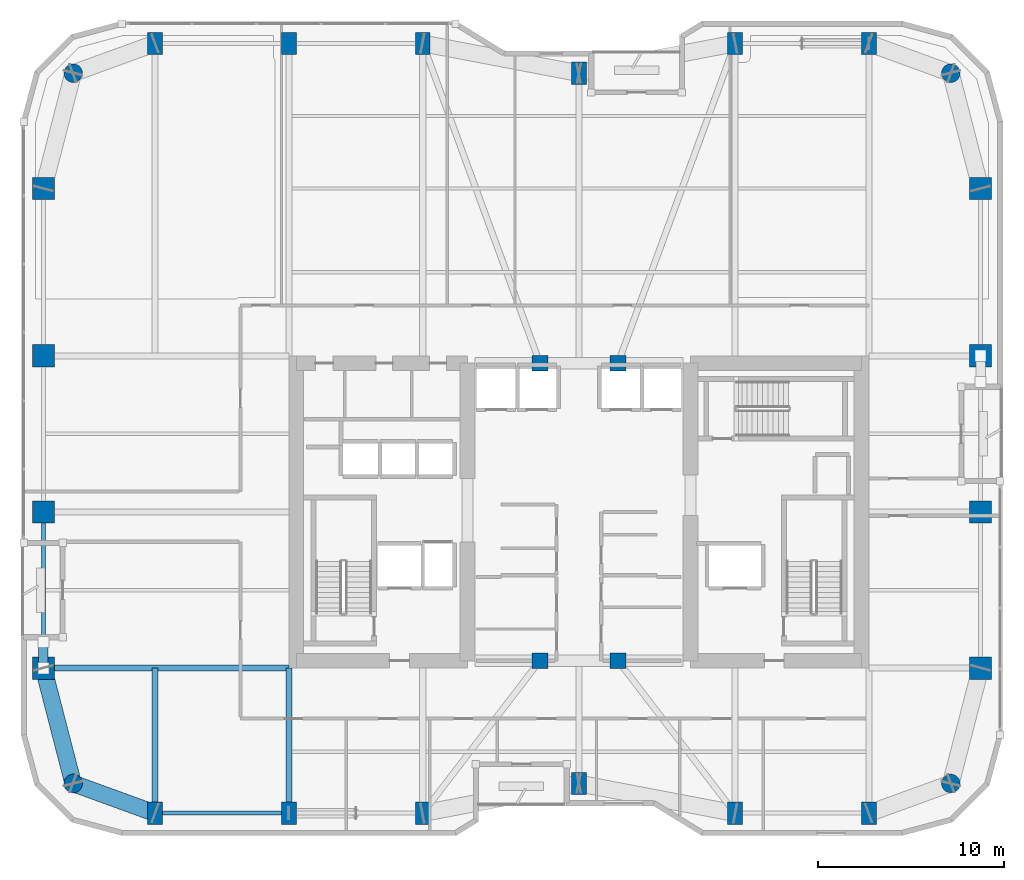
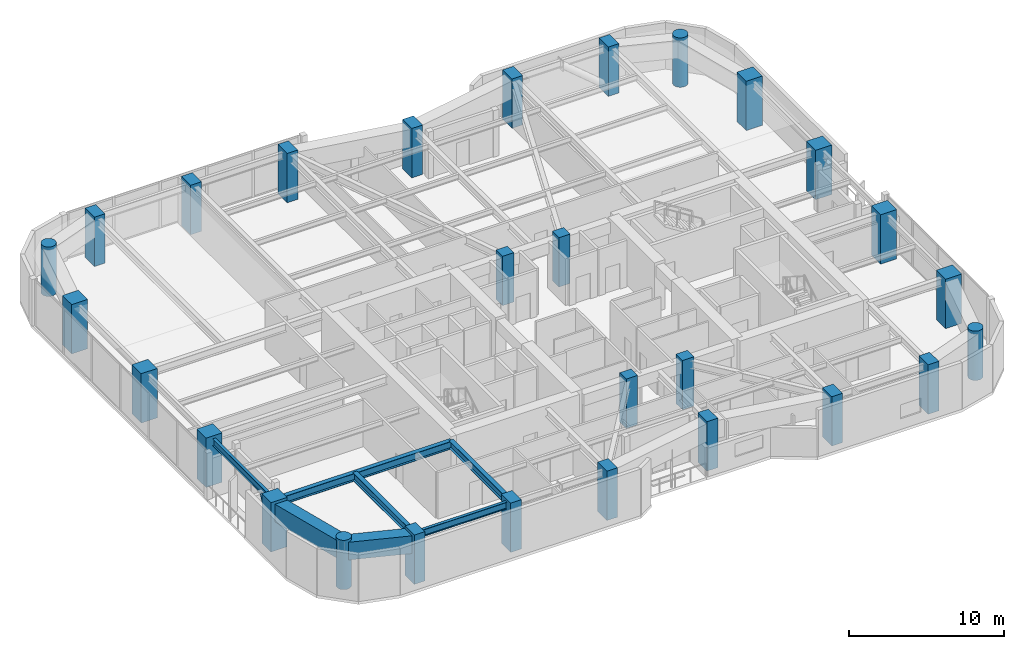
# One storey, part 1 of 30: 28 columns, 7 beams, 1 member.
"""IFC4 building model written with IfcOpenShell, lengths in metres."""

import ifcopenshell
import ifcopenshell.guid

model = None  # the IFC model being written
_history = None  # IfcOwnerHistory: only IFC2X3 demands one
_inside = {}  # id of a spatial element -> (the spatial element, [elements in it])
_under = {}  # id of a project, library or spatial element -> (it, [spatial elements below it])
_declared = {}  # id of a project -> (the project, [libraries it declares])
_typed = {}  # id of a type object -> (the type object, [elements of that type])
_made_of = {}  # id of a material, layer set ... -> (it, [elements and type objects made of it])


def new_model(schema):
    """Start an empty IFC model of exactly this schema.

    Asked for "IFC4X3", IfcOpenShell would pick the latest addendum, in which some entities
    have other attributes; the version numbers below select the first issue.
    IFC2X3 requires an IfcOwnerHistory on every rooted entity: one is made here for all.
    """
    global model, _history
    if schema == "IFC4X3":
        model = ifcopenshell.file(schema_version=(4, 3, 0, 0))
    else:
        model = ifcopenshell.file(schema=schema)
    _inside.clear()
    _under.clear()
    _declared.clear()
    _typed.clear()
    _made_of.clear()
    _history = None
    if model.schema == "IFC2X3":
        org = make("IfcOrganization", Name="unknown")
        user = make(
            "IfcPersonAndOrganization",
            ThePerson=make("IfcPerson", FamilyName="unknown"),
            TheOrganization=org,
        )
        app = make(
            "IfcApplication",
            ApplicationDeveloper=org,
            Version="unknown",
            ApplicationFullName="unknown",
            ApplicationIdentifier="unknown",
        )
        _history = make(
            "IfcOwnerHistory",
            OwningUser=user,
            OwningApplication=app,
            ChangeAction="ADDED",
            CreationDate=0,
        )
    return model


def make(cls, **values):
    """One entity of the class cls with the attributes given. An attribute that is None is left unset."""
    return model.create_entity(
        cls, **{name: value for name, value in values.items() if value is not None}
    )


def rooted(cls, **values):
    """An entity with a GlobalId (a new one), such as an element, a storey or a relation."""
    return make(cls, GlobalId=ifcopenshell.guid.new(), OwnerHistory=_history, **values)


def si_unit(unit_type, name, prefix=None):
    """IfcSIUnit, for example si_unit("LENGTHUNIT", "METRE", prefix="MILLI")."""
    return make("IfcSIUnit", UnitType=unit_type, Prefix=prefix, Name=name)


def assignment(units):
    """IfcUnitAssignment: the units of a project."""
    return None if units is None else make("IfcUnitAssignment", Units=units)


def point(xyz):
    """IfcCartesianPoint."""
    return None if xyz is None else make("IfcCartesianPoint", Coordinates=xyz)


def direction(xyz):
    """IfcDirection."""
    return None if xyz is None else make("IfcDirection", DirectionRatios=xyz)


def frame(location, z_axis=None, x_axis=None):
    """IfcAxis2Placement3D, a coordinate frame: its origin and axes. An axis left out is left unset."""
    return make(
        "IfcAxis2Placement3D",
        Location=point(location),
        Axis=direction(z_axis),
        RefDirection=direction(x_axis),
    )


def frame_2d(location, x_axis=None):
    """IfcAxis2Placement2D, a coordinate frame in the plane: its origin and x axis."""
    return make(
        "IfcAxis2Placement2D", Location=point(location), RefDirection=direction(x_axis)
    )


def origin():
    """The frame at (0, 0, 0) with its axes left unset."""
    return frame((0.0, 0.0, 0.0))


def origin_2d():
    """The frame at (0, 0) in the plane with its x axis left unset."""
    return frame_2d((0.0, 0.0))


def place(relative_to, where):
    """IfcLocalPlacement: puts the frame where relative to a parent placement (None: the world)."""
    return make(
        "IfcLocalPlacement", PlacementRelTo=relative_to, RelativePlacement=where
    )


def context(
    kind, dimensions, precision=None, world=None, true_north=None, identifier=None
):
    """IfcGeometricRepresentationContext, for example the 3D "Model" context."""
    return make(
        "IfcGeometricRepresentationContext",
        ContextIdentifier=identifier,
        ContextType=kind,
        CoordinateSpaceDimension=dimensions,
        Precision=precision,
        WorldCoordinateSystem=world,
        TrueNorth=true_north,
    )


def subcontext(parent, identifier, kind, view, scale=None):
    """IfcGeometricRepresentationSubContext, for example "Body" below "Model"."""
    return make(
        "IfcGeometricRepresentationSubContext",
        ContextIdentifier=identifier,
        ContextType=kind,
        ParentContext=parent,
        TargetScale=scale,
        TargetView=view,
    )


def project(units=None, contexts=None):
    """IfcProject with its units and contexts."""
    return rooted(
        "IfcProject",
        Name="project",
        RepresentationContexts=contexts,
        UnitsInContext=assignment(units),
    )


def spatial(cls, under=None, at=None, **own):
    """A site, building, storey or space (cls), placed at a placement, below another one or the project."""
    s = rooted(cls, ObjectPlacement=at, **own)
    if under is not None:
        _under.setdefault(under.id(), (under, []))[1].append(s)
    return s


def profile(cls, at=None, kind="AREA", **sizes):
    """A parametric profile (cls). Its sizes go by their IFC names, for example OverallWidth=200.0."""
    return make(cls, ProfileType=kind, Position=at, **sizes)


def rectangle(**sizes):
    """IfcRectangleProfileDef."""
    return profile("IfcRectangleProfileDef", **sizes)


def hollow_rectangle(**sizes):
    """IfcRectangleHollowProfileDef."""
    return profile("IfcRectangleHollowProfileDef", **sizes)


def circle(**sizes):
    """IfcCircleProfileDef."""
    return profile("IfcCircleProfileDef", **sizes)


def hollow_circle(**sizes):
    """IfcCircleHollowProfileDef."""
    return profile("IfcCircleHollowProfileDef", **sizes)


def i_section(**sizes):
    """IfcIShapeProfileDef."""
    return profile("IfcIShapeProfileDef", **sizes)


def extrude(swept, where, along, depth):
    """IfcExtrudedAreaSolid: the profile swept, set in the frame where, extruded along a direction by depth."""
    return make(
        "IfcExtrudedAreaSolid",
        SweptArea=swept,
        Position=where,
        ExtrudedDirection=direction(along),
        Depth=depth,
    )


def shape(context_of_items, identifier, shape_type, items):
    """IfcShapeRepresentation: the items that make up one representation, for example the "Body"."""
    return make(
        "IfcShapeRepresentation",
        ContextOfItems=context_of_items,
        RepresentationIdentifier=identifier,
        RepresentationType=shape_type,
        Items=items,
    )


def material(Name=None, Category=None):
    """IfcMaterial."""
    return make("IfcMaterial", Name=Name, Category=Category)


def material_profile(
    of_material, cross_section, Name=None, Category=None, Priority=None
):
    """IfcMaterialProfile: a cross section and its material."""
    return make(
        "IfcMaterialProfile",
        Name=Name,
        Material=of_material,
        Profile=cross_section,
        Priority=Priority,
        Category=Category,
    )


def profile_set(profiles, Name=None, composite=None):
    """IfcMaterialProfileSet."""
    return make(
        "IfcMaterialProfileSet",
        Name=Name,
        MaterialProfiles=profiles,
        CompositeProfile=composite,
    )


def made_of(thing, what):
    """Note that an element or type object is made of a material, layer set ...; save() writes the relation."""
    if what is not None:
        _made_of.setdefault(what.id(), (what, []))[1].append(thing)
    return thing


def type_object(cls, material=None, **own):
    """A type object (cls), such as IfcWallType, which elements share."""
    return made_of(rooted(cls, **own), material)


def element(
    cls,
    number,
    at=None,
    inside=None,
    cuts=None,
    type_object=None,
    material=None,
    context=None,
    identifier="Body",
    shape_type=None,
    held_by="IfcProductDefinitionShape",
    body=None,
    shapes=None,
    **own,
):
    """One element of the class cls, such as IfcWall. Its Tag is "e" and its number.

    at: its placement. inside: the storey or other place that contains it. cuts: it is an
    opening in that element (IfcRelVoidsElement). A single representation is given by context,
    identifier, shape_type and body (its items); several are given by shapes. held_by: the class
    of the entity that holds the representations. save() writes the other relations.
    """
    e = rooted(cls, Tag="e%d" % number, ObjectPlacement=at, **own)
    if body is not None:
        shapes = [shape(context, identifier, shape_type, body)]
    if shapes is not None:
        e.Representation = make(held_by, Representations=shapes)
    if inside is not None:
        _inside.setdefault(inside.id(), (inside, []))[1].append(e)
    if cuts is not None:
        rooted(
            "IfcRelVoidsElement", RelatingBuildingElement=cuts, RelatedOpeningElement=e
        )
    if type_object is not None:
        _typed.setdefault(type_object.id(), (type_object, []))[1].append(e)
    return made_of(e, material)


def aggregate(whole, parts):
    """IfcRelAggregates: a whole, such as a stair, and the parts it consists of."""
    return rooted("IfcRelAggregates", RelatingObject=whole, RelatedObjects=parts)


def save(model, path):
    """Write the relations noted so far, then the file.

    IfcRelAggregates (storeys below a building ...), IfcRelContainedInSpatialStructure (elements
    in a storey), IfcRelDefinesByType, IfcRelAssociatesMaterial and IfcRelDeclares: one each for
    every whole, place, type object, material and project.
    """
    for whole, parts in _under.values():
        aggregate(whole, parts)
    for where, things in _inside.values():
        rooted(
            "IfcRelContainedInSpatialStructure",
            RelatedElements=things,
            RelatingStructure=where,
        )
    for kind, things in _typed.values():
        rooted("IfcRelDefinesByType", RelatedObjects=things, RelatingType=kind)
    for what, things in _made_of.values():
        rooted("IfcRelAssociatesMaterial", RelatedObjects=things, RelatingMaterial=what)
    for by, libraries in _declared.values():
        rooted("IfcRelDeclares", RelatingContext=by, RelatedDefinitions=libraries)
    model.write(path)


model = new_model("IFC4")

# Units and contexts
model_context = context("Model", 3, precision=1e-05, world=origin(), true_north=direction((0.0, 1.0)))
body_context = subcontext(model_context, "Body", "Model", "MODEL_VIEW")
ifc_project = project(units=[si_unit("LENGTHUNIT", "METRE"), si_unit("AREAUNIT", "SQUARE_METRE"), si_unit("VOLUMEUNIT", "CUBIC_METRE"), si_unit("PLANEANGLEUNIT", "RADIAN"), si_unit("MASSUNIT", "GRAM", prefix="KILO")], contexts=[model_context])

# Site, building, storey
site_placement = place(None, origin())
site = spatial("IfcSite", under=ifc_project, at=site_placement, CompositionType="ELEMENT")
building_placement = place(site_placement, origin())
building = spatial("IfcBuilding", under=site, at=building_placement, Name="Kiyonajd Concourse Tower", CompositionType="ELEMENT")
storey_placement = place(building_placement, frame((0.0, 0.0, 170.10009765625)))
storey = spatial("IfcBuildingStorey", under=building, at=storey_placement, Name="L43", CompositionType="ELEMENT", Elevation=170.10009765625)

# Columns
ifc_material_1 = material(Name="Concrete C70/85", Category="concrete")
ifc_material_profile_1 = material_profile(ifc_material_1, rectangle(XDim=0.800048828125, YDim=1.199951171875, at=origin_2d()), Name="RC-1200x800")
ifc_profile_set_1 = profile_set([ifc_material_profile_1], Name="Concrete C70/85")
column_type_1 = type_object("IfcColumnType", Name="CL-BLADE-1200", PredefinedType="COLUMN", material=ifc_profile_set_1)
for number, where, z_axis, x_axis, name in (
    (1, (25.199951171875, 19.800048828125, 0.0), (0.0, 0.0, 1.0), (1.0, 0.0, 0.0), "L43 Perimeter Bundled Tube Column"),
    (2, (25.199951171875, 61.199951171875, 0.0), (0.0, 0.0, 1.0), (1.0, 0.0, 0.0), "L43 Perimeter Bundled Tube Column"),
    (3, (32.39990234375, 19.800048828125, 0.0), (0.0, 0.0, 1.0), (1.0, 0.0, 0.0), "L43 Perimeter Bundled Tube Column"),
    (4, (32.39990234375, 61.199951171875, 0.0), (0.0, 0.0, 1.0), (1.0, 0.0, 0.0), "L43 Perimeter Bundled Tube Column"),
    (5, (39.60009765625, 19.800048828125, 0.0), (0.0, 0.0, 1.0), (1.0, 0.0, 0.0), "L43 Perimeter Bundled Tube Column"),
    (6, (39.60009765625, 61.199951171875, 0.0), (0.0, 0.0, 1.0), (1.0, 0.0, 0.0), "L43 Perimeter Bundled Tube Column"),
    (7, (48.0, 21.39990234375, 0.0), (0.0, 0.0, 1.0), (1.0, 0.0, 0.0), "L43 Perimeter Bundled Tube Column"),
    (8, (48.0, 59.60009765625, 0.0), (0.0, 0.0, 1.0), (1.0, 0.0, 0.0), "L43 Perimeter Bundled Tube Column"),
    (9, (56.39990234375, 19.800048828125, 0.0), (0.0, 0.0, 1.0), (1.0, 0.0, 0.0), "L43 Perimeter Bundled Tube Column"),
    (10, (56.39990234375, 61.199951171875, 0.0), (0.0, 0.0, 1.0), (1.0, 0.0, 0.0), "L43 Perimeter Bundled Tube Column"),
    (11, (63.60009765625, 19.800048828125, 0.0), (0.0, 0.0, 1.0), (1.0, 0.0, 0.0), "L43 Perimeter Bundled Tube Column"),
    (12, (63.60009765625, 61.199951171875, 0.0), (0.0, 0.0, 1.0), (1.0, 0.0, 0.0), "L43 Perimeter Bundled Tube Column"),
):
    element("IfcColumn", number, at=place(storey_placement, frame(where, z_axis=z_axis, x_axis=x_axis)), inside=storey, type_object=column_type_1, Name=name, PredefinedType="COLUMN", context=body_context, shape_type="SweptSolid", body=[
        extrude(rectangle(XDim=0.800048828125, YDim=1.199951171875, at=origin_2d()), origin(), (0.0, 0.0, 1.0), 3.89990234375),
    ])
ifc_material_2 = material(Name="Concrete C60/75", Category="concrete")
ifc_material_profile_2 = material_profile(ifc_material_2, circle(Radius=0.5, at=origin_2d()), Name="RCC-D1000")
ifc_profile_set_2 = profile_set([ifc_material_profile_2], Name="Concrete C60/75")
column_type_2 = type_object("IfcColumnType", Name="CL-RND-1000", PredefinedType="COLUMN", material=ifc_profile_set_2)
for number, where, z_axis, x_axis, name in (
    (13, (20.800048828125, 21.39990234375, 0.0), (0.0, 0.0, 1.0), (1.0, 0.0, 0.0), "L43 Bundled Tube Corner Column South West"),
    (14, (68.0, 21.39990234375, 0.0), (0.0, 0.0, 1.0), (1.0, 0.0, 0.0), "L43 Bundled Tube Corner Column South East"),
    (15, (68.0, 59.60009765625, 0.0), (0.0, 0.0, 1.0), (1.0, 0.0, 0.0), "L43 Bundled Tube Corner Column North East"),
    (16, (20.800048828125, 59.60009765625, 0.0), (0.0, 0.0, 1.0), (1.0, 0.0, 0.0), "L43 Bundled Tube Corner Column North West"),
):
    element("IfcColumn", number, at=place(storey_placement, frame(where, z_axis=z_axis, x_axis=x_axis)), inside=storey, type_object=column_type_2, Name=name, PredefinedType="COLUMN", context=body_context, shape_type="SweptSolid", body=[
        extrude(circle(Radius=0.5, at=origin_2d()), origin(), (0.0, 0.0, 1.0), 3.89990234375),
    ])
ifc_material_profile_3 = material_profile(ifc_material_1, rectangle(XDim=1.199951171875, YDim=1.199951171875, at=origin_2d()), Name="RC-1200x1200")
ifc_profile_set_3 = profile_set([ifc_material_profile_3], Name="Concrete C70/85")
column_type_3 = type_object("IfcColumnType", Name="CL-TUBE-1200", PredefinedType="COLUMN", material=ifc_profile_set_3)
for number, where, z_axis, x_axis, name in (
    (17, (19.199951171875, 27.60009765625, 0.0), (0.0, 0.0, 1.0), (1.0, 0.0, 0.0), "L43 Perimeter Bundled Tube Column"),
    (18, (69.60009765625, 27.60009765625, 0.0), (0.0, 0.0, 1.0), (1.0, 0.0, 0.0), "L43 Perimeter Bundled Tube Column"),
    (19, (19.199951171875, 36.0, 0.0), (0.0, 0.0, 1.0), (1.0, 0.0, 0.0), "L43 Perimeter Bundled Tube Column"),
    (20, (69.60009765625, 36.0, 0.0), (0.0, 0.0, 1.0), (1.0, 0.0, 0.0), "L43 Perimeter Bundled Tube Column"),
    (21, (19.199951171875, 44.39990234375, 0.0), (0.0, 0.0, 1.0), (1.0, 0.0, 0.0), "L43 Perimeter Bundled Tube Column"),
    (22, (69.60009765625, 44.39990234375, 0.0), (0.0, 0.0, 1.0), (1.0, 0.0, 0.0), "L43 Perimeter Bundled Tube Column"),
    (23, (19.199951171875, 53.39990234375, 0.0), (0.0, 0.0, 1.0), (1.0, 0.0, 0.0), "L43 Perimeter Bundled Tube Column"),
    (24, (69.60009765625, 53.39990234375, 0.0), (0.0, 0.0, 1.0), (1.0, 0.0, 0.0), "L43 Perimeter Bundled Tube Column"),
):
    element("IfcColumn", number, at=place(storey_placement, frame(where, z_axis=z_axis, x_axis=x_axis)), inside=storey, type_object=column_type_3, Name=name, PredefinedType="COLUMN", context=body_context, shape_type="SweptSolid", body=[
        extrude(rectangle(XDim=1.199951171875, YDim=1.199951171875, at=origin_2d()), origin(), (0.0, 0.0, 1.0), 3.89990234375),
    ])
ifc_material_profile_4 = material_profile(ifc_material_2, rectangle(XDim=0.85009765625, YDim=0.85009765625, at=origin_2d()), Name="RC-850x850")
ifc_profile_set_4 = profile_set([ifc_material_profile_4], Name="Concrete C60/75")
column_type_4 = type_object("IfcColumnType", Name="CL-TUBE-850", PredefinedType="COLUMN", material=ifc_profile_set_4)
for number, where, z_axis, x_axis, name in (
    (25, (45.89990234375, 28.0, 0.0), (0.0, 0.0, 1.0), (1.0, 0.0, 0.0), "L43 Core Tie Column South West"),
    (26, (50.10009765625, 28.0, 0.0), (0.0, 0.0, 1.0), (1.0, 0.0, 0.0), "L43 Core Tie Column South East"),
    (27, (45.89990234375, 44.0, 0.0), (0.0, 0.0, 1.0), (1.0, 0.0, 0.0), "L43 Core Tie Column North West"),
    (28, (50.10009765625, 44.0, 0.0), (0.0, 0.0, 1.0), (1.0, 0.0, 0.0), "L43 Core Tie Column North East"),
):
    element("IfcColumn", number, at=place(storey_placement, frame(where, z_axis=z_axis, x_axis=x_axis)), inside=storey, type_object=column_type_4, Name=name, PredefinedType="COLUMN", context=body_context, shape_type="SweptSolid", body=[
        extrude(rectangle(XDim=0.85009765625, YDim=0.85009765625, at=origin_2d()), origin(), (0.0, 0.0, 1.0), 3.89990234375),
    ])

# Beams
ifc_material_3 = material(Name="Steel ASTM A992 Grade 50", Category="steel")
ifc_material_profile_5 = material_profile(ifc_material_3, i_section(OverallWidth=0.214111328125, OverallDepth=0.549072265625, WebThickness=0.0146484375, FlangeThickness=0.023681640625, at=origin_2d()), Name="W530X138")
ifc_profile_set_5 = profile_set([ifc_material_profile_5], Name="Steel ASTM A992 Grade 50")
beam_type_1 = type_object("IfcBeamType", Name="BM-SPAN-530A", PredefinedType="SPANDREL", material=ifc_profile_set_5)
beam_1_placement = place(storey_placement, frame((25.199951171875, 19.800048828125, 3.405517578125), z_axis=(1.0, 0.0, 0.0), x_axis=(0.0, 1.0, 0.0)))
element("IfcBeam", 29, at=beam_1_placement, inside=storey, type_object=beam_type_1, Name="L43 Perimeter Bundled Tube Spandrel", PredefinedType="SPANDREL", context=body_context, shape_type="SweptSolid", body=[
    extrude(i_section(OverallWidth=0.214111328125, OverallDepth=0.549072265625, WebThickness=0.0146484375, FlangeThickness=0.023681640625, at=origin_2d()), origin(), (0.0, 0.0, 1.0), 7.199951171875),
])
beam_2_placement = place(storey_placement, frame((19.199951171875, 36.0, 3.405517578125), z_axis=(0.0, -1.0, 0.0), x_axis=(1.0, 0.0, 0.0)))
element("IfcBeam", 30, at=beam_2_placement, inside=storey, type_object=beam_type_1, Name="L43 Perimeter Bundled Tube Spandrel", PredefinedType="SPANDREL", context=body_context, shape_type="SweptSolid", body=[
    extrude(i_section(OverallWidth=0.214111328125, OverallDepth=0.549072265625, WebThickness=0.0146484375, FlangeThickness=0.023681640625, at=origin_2d()), origin(), (0.0, 0.0, 1.0), 8.39990234375),
])
ifc_material_profile_6 = material_profile(ifc_material_3, i_section(OverallWidth=0.326904296875, OverallDepth=0.6220703125, WebThickness=0.015380859375, FlangeThickness=0.0244140625, at=origin_2d()), Name="W610X195")
ifc_profile_set_6 = profile_set([ifc_material_profile_6], Name="Steel ASTM A992 Grade 50")
beam_type_2 = type_object("IfcBeamType", Name="BM-TWR-610A", PredefinedType="BEAM", material=ifc_profile_set_6)
for number, where, z_axis, x_axis, name in (
    (31, (25.199951171875, 19.800048828125, 3.368896484375), (0.0, 1.0, 0.0), (-1.0, 0.0, 0.0), "L43 South Lease Girder"),
    (32, (32.39990234375, 19.800048828125, 3.368896484375), (0.0, 1.0, 0.0), (-1.0, 0.0, 0.0), "L43 South Lease Girder"),
):
    element("IfcBeam", number, at=place(storey_placement, frame(where, z_axis=z_axis, x_axis=x_axis)), inside=storey, type_object=beam_type_2, Name=name, PredefinedType="BEAM", context=body_context, shape_type="SweptSolid", body=[
        extrude(i_section(OverallWidth=0.326904296875, OverallDepth=0.6220703125, WebThickness=0.015380859375, FlangeThickness=0.0244140625, at=origin_2d()), origin(), (0.0, 0.0, 1.0), 7.800048828125),
    ])
beam_3_placement = place(storey_placement, frame((19.199951171875, 27.60009765625, 3.368896484375), z_axis=(1.0, 0.0, 0.0), x_axis=(0.0, 1.0, 0.0)))
element("IfcBeam", 33, at=beam_3_placement, inside=storey, type_object=beam_type_2, Name="L43 West Lease Girder", PredefinedType="BEAM", context=body_context, shape_type="SweptSolid", body=[
    extrude(i_section(OverallWidth=0.326904296875, OverallDepth=0.6220703125, WebThickness=0.015380859375, FlangeThickness=0.0244140625, at=origin_2d()), origin(), (0.0, 0.0, 1.0), 13.199951171875),
])
ifc_material_4 = material(Name="Steel ASTM A572 Grade 50", Category="steel")
ifc_material_profile_7 = material_profile(ifc_material_4, hollow_rectangle(XDim=0.89990234375, YDim=1.39990234375, WallThickness=0.070068359375, at=origin_2d()), Name="BOX-1400x900x70")
ifc_profile_set_7 = profile_set([ifc_material_profile_7], Name="Steel ASTM A572 Grade 50")
beam_type_3 = type_object("IfcBeamType", Name="BM-XFER-1400", PredefinedType="BEAM", material=ifc_profile_set_7)
beam_4_placement = place(storey_placement, frame((19.199951171875, 27.60009765625, 2.97998046875), z_axis=(0.249884937687, -0.968275538221, 0.0), x_axis=(0.968275538221, 0.249884937687, 0.0)))
element("IfcBeam", 34, at=beam_4_placement, inside=storey, type_object=beam_type_3, Name="L43 Perimeter Bundled Tube Spandrel", PredefinedType="BEAM", context=body_context, shape_type="SweptSolid", body=[
    extrude(hollow_rectangle(XDim=0.89990234375, YDim=1.39990234375, WallThickness=0.070068359375, at=origin_2d()), origin(), (0.0, 0.0, 1.0), 6.4033203125),
])
beam_5_placement = place(storey_placement, frame((20.800048828125, 21.39990234375, 2.97998046875), z_axis=(0.939801036019, -0.341722127901, 0.0), x_axis=(0.341722127901, 0.939801036019, 0.0)))
element("IfcBeam", 35, at=beam_5_placement, inside=storey, type_object=beam_type_3, Name="L43 Perimeter Bundled Tube Spandrel", PredefinedType="BEAM", context=body_context, shape_type="SweptSolid", body=[
    extrude(hollow_rectangle(XDim=0.89990234375, YDim=1.39990234375, WallThickness=0.070068359375, at=origin_2d()), origin(), (0.0, 0.0, 1.0), 4.681640625),
])

# Member
ifc_material_5 = material(Name="Steel ASTM A500 Grade C", Category="steel")
ifc_material_profile_8 = material_profile(ifc_material_5, hollow_circle(Radius=0.25390625, WallThickness=0.02197265625, at=origin_2d()), Name="CHS-508x22")
ifc_profile_set_8 = profile_set([ifc_material_profile_8], Name="Steel ASTM A500 Grade C")
member_type = type_object("IfcMemberType", Name="MB-PB-MID", PredefinedType="BRACE", material=ifc_profile_set_8)
member_placement = place(storey_placement, frame((19.199951171875, 27.60009765625, 0.2998046875), z_axis=(0.0, 0.419410666774, 0.907796614114), x_axis=(-1.0, 0.0, 0.0)))
element("IfcMember", 36, at=member_placement, inside=storey, type_object=member_type, Name="L43 Upper Zone Hollow Tube Brace PBW", PredefinedType="BRACE", context=body_context, shape_type="SweptSolid", body=[
    extrude(hollow_circle(Radius=0.25390625, WallThickness=0.02197265625, at=origin_2d()), origin(), (0.0, 0.0, 1.0), 3.337890625),
])

save(model, "model.ifc")
